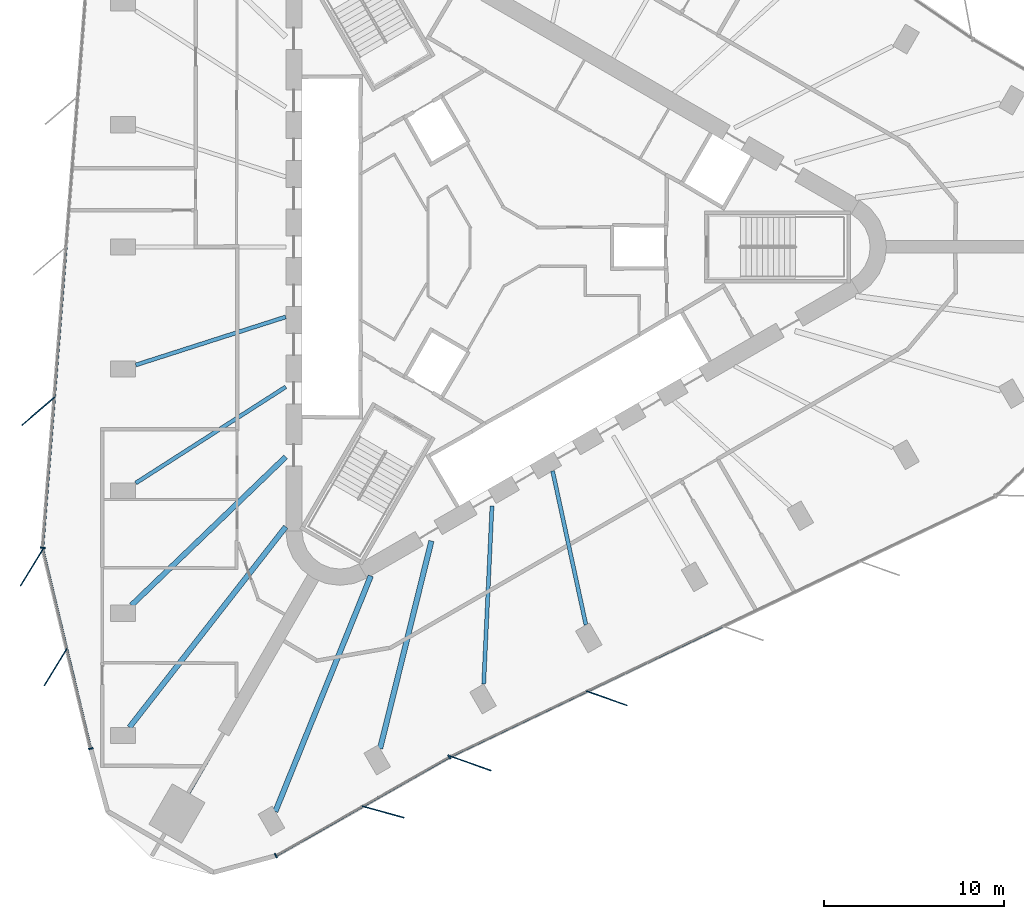
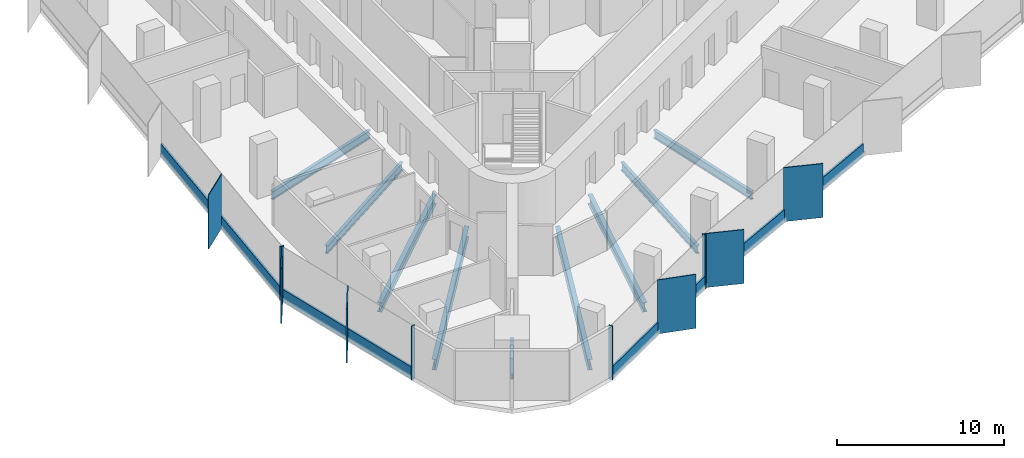
# One storey, part 2 of 13: 18 members, 9 beams, 4 elements without a shape of their own.
"""IFC4 building model written with IfcOpenShell, lengths in metres."""

from ifc_helpers import new_model, si_unit, direction, frame, origin, origin_2d, place, context, subcontext, project, spatial, rectangle, i_section, extrude, material, material_profile, profile_set, type_object, element, aggregate, save


model = new_model("IFC4")

# Units and contexts
model_context = context("Model", 3, precision=1e-05, world=origin(), true_north=direction((0.0, 1.0)))
body_context = subcontext(model_context, "Body", "Model", "MODEL_VIEW")
ifc_project = project(units=[si_unit("LENGTHUNIT", "METRE"), si_unit("AREAUNIT", "SQUARE_METRE"), si_unit("VOLUMEUNIT", "CUBIC_METRE"), si_unit("PLANEANGLEUNIT", "RADIAN"), si_unit("MASSUNIT", "GRAM", prefix="KILO")], contexts=[model_context])

# Site, building, storey
site_placement = place(None, origin())
site = spatial("IfcSite", under=ifc_project, at=site_placement, CompositionType="ELEMENT")
building_placement = place(site_placement, origin())
building = spatial("IfcBuilding", under=site, at=building_placement, Name="Tanit Gate Tower", CompositionType="ELEMENT")
storey_placement = place(building_placement, frame((0.0, 0.0, 273.199951171875)))
storey = spatial("IfcBuildingStorey", under=building, at=storey_placement, Name="L62", CompositionType="ELEMENT", Elevation=273.199951171875)

# Curtain wall, member
ifc_material_1 = material(Name="Aluminium bronze anodised and glass", Category="aluminium")
curtain_wall_type = type_object("IfcCurtainWallType", Name="Curtain wall typical mid", PredefinedType="NOTDEFINED", material=ifc_material_1)
curtain_wall_1_placement = place(storey_placement, origin())
curtain_wall_1 = element("IfcCurtainWall", 1, at=curtain_wall_1_placement, inside=storey, type_object=curtain_wall_type, Name="Curtain wall L62 W2", PredefinedType="NOTDEFINED")
ifc_material_2 = material(Name="Aluminium bronze anodised", Category="aluminium")
ifc_material_profile_1 = material_profile(ifc_material_2, rectangle(XDim=2.39990234375, YDim=0.055908203125, at=origin_2d()), Name="56x2400 bronze fin mullion")
ifc_profile_set_1 = profile_set([ifc_material_profile_1], Name="Aluminium bronze anodised")
member_type_1 = type_object("IfcMemberType", Name="FIN MULLION 56x2400 bronze", PredefinedType="MULLION", material=ifc_profile_set_1)
member_1_placement = place(storey_placement, frame((-25.82177734375, -9.10546875, -0.300048828125), z_axis=(0.0, 0.0, 1.0), x_axis=(0.75991198916, 0.650025975428, 0.0)))
member_1 = element("IfcMember", 2, at=member_1_placement, type_object=member_type_1, Name="Fin mullion L62 W2.4", PredefinedType="MULLION", context=body_context, shape_type="SweptSolid", body=[
    extrude(rectangle(XDim=2.39990234375, YDim=0.055908203125, at=origin_2d()), origin(), (0.0, 0.0, 1.0), 3.9501953125),
])

# Curtain wall, members
curtain_wall_2_placement = place(storey_placement, origin())
curtain_wall_2 = element("IfcCurtainWall", 3, at=curtain_wall_2_placement, inside=storey, type_object=curtain_wall_type, Name="Curtain wall L62 W3", PredefinedType="NOTDEFINED")
member_2_placement = place(storey_placement, frame((-26.185791015625, -17.764892578125, -0.300048828125), z_axis=(0.0, 0.0, 1.0), x_axis=(0.522413666557, 0.852692184199, 0.0)))
member_2 = element("IfcMember", 4, at=member_2_placement, type_object=member_type_1, Name="Fin mullion L62 W3.1", PredefinedType="MULLION", context=body_context, shape_type="SweptSolid", body=[
    extrude(rectangle(XDim=2.39990234375, YDim=0.055908203125, at=origin_2d()), origin(), (0.0, 0.0, 1.0), 3.9501953125),
])
member_3_placement = place(storey_placement, frame((-24.85791015625, -23.292724609375, -0.300048828125), z_axis=(0.0, 0.0, 1.0), x_axis=(0.522413666557, 0.852692184199, 0.0)))
member_3 = element("IfcMember", 5, at=member_3_placement, type_object=member_type_1, Name="Fin mullion L62 W3.2", PredefinedType="MULLION", context=body_context, shape_type="SweptSolid", body=[
    extrude(rectangle(XDim=2.39990234375, YDim=0.055908203125, at=origin_2d()), origin(), (0.0, 0.0, 1.0), 3.9501953125),
])

# Curtain wall, member
curtain_wall_3_placement = place(storey_placement, origin())
curtain_wall_3 = element("IfcCurtainWall", 6, at=curtain_wall_3_placement, inside=storey, type_object=curtain_wall_type, Name="Curtain wall L62 SE1", PredefinedType="NOTDEFINED")
member_4_placement = place(storey_placement, frame((-6.7041015625, -31.32470703125, -0.300048828125), z_axis=(0.0, 0.0, 1.0), x_axis=(-0.964256591689, 0.264970234904, 0.0)))
member_4 = element("IfcMember", 7, at=member_4_placement, type_object=member_type_1, Name="Fin mullion L62 SE1.2", PredefinedType="MULLION", context=body_context, shape_type="SweptSolid", body=[
    extrude(rectangle(XDim=2.39990234375, YDim=0.055908203125, at=origin_2d()), origin(), (0.0, 0.0, 1.0), 3.9501953125),
])

# Curtain wall, members
curtain_wall_4_placement = place(storey_placement, origin())
curtain_wall_4 = element("IfcCurtainWall", 8, at=curtain_wall_4_placement, inside=storey, type_object=curtain_wall_type, Name="Curtain wall L62 SE2", PredefinedType="NOTDEFINED")
member_5_placement = place(storey_placement, frame((-1.8505859375, -28.6328125, -0.300048828125), z_axis=(0.0, 0.0, 1.0), x_axis=(-0.94289500242, 0.333090099539, 0.0)))
member_5 = element("IfcMember", 9, at=member_5_placement, type_object=member_type_1, Name="Fin mullion L62 SE2.1", PredefinedType="MULLION", context=body_context, shape_type="SweptSolid", body=[
    extrude(rectangle(XDim=2.39990234375, YDim=0.055908203125, at=origin_2d()), origin(), (0.0, 0.0, 1.0), 3.9501953125),
])
member_6_placement = place(storey_placement, frame((5.698486328125, -25.025146484375, -0.300048828125), z_axis=(0.0, 0.0, 1.0), x_axis=(-0.94289500242, 0.333090099539, 0.0)))
member_6 = element("IfcMember", 10, at=member_6_placement, type_object=member_type_1, Name="Fin mullion L62 SE2.2", PredefinedType="MULLION", context=body_context, shape_type="SweptSolid", body=[
    extrude(rectangle(XDim=2.39990234375, YDim=0.055908203125, at=origin_2d()), origin(), (0.0, 0.0, 1.0), 3.9501953125),
])

# Member
ifc_material_3 = material(Name="Aluminium bronze anodised", Category="aluminium")
ifc_material_profile_2 = material_profile(ifc_material_3, rectangle(XDim=0.260009765625, YDim=0.080078125, at=origin_2d()), Name="80x260 bronze mullion")
ifc_profile_set_2 = profile_set([ifc_material_profile_2], Name="Aluminium bronze anodised")
member_type_2 = type_object("IfcMemberType", Name="Mullion 80x260 typical mid", PredefinedType="MULLION", material=ifc_profile_set_2)
member_7_placement = place(storey_placement, frame((-25.576171875, -16.680908203125, -0.300048828125), z_axis=(0.0, 0.0, 1.0), x_axis=(0.996976695812, -0.077701145467, 0.0)))
member_7 = element("IfcMember", 11, at=member_7_placement, type_object=member_type_2, Name="Mullion L62 W2.5", PredefinedType="MULLION", context=body_context, shape_type="SweptSolid", body=[
    extrude(rectangle(XDim=0.260009765625, YDim=0.080078125, at=origin_2d()), origin(), (0.0, 0.0, 1.0), 3.9501953125),
])

member_8_placement = place(storey_placement, frame((-22.91455078125, -27.8154296875, -0.300048828125), z_axis=(0.0, 0.0, 1.0), x_axis=(0.972346671919, 0.233542179505, 0.0)))
member_8 = element("IfcMember", 12, at=member_8_placement, type_object=member_type_2, Name="Mullion L62 W3.3", PredefinedType="MULLION", context=body_context, shape_type="SweptSolid", body=[
    extrude(rectangle(XDim=0.260009765625, YDim=0.080078125, at=origin_2d()), origin(), (0.0, 0.0, 1.0), 3.9501953125),
])

member_9_placement = place(storey_placement, frame((-12.648681640625, -33.747314453125, -0.300048828125), z_axis=(0.0, 0.0, 1.0), x_axis=(-0.494470124873, 0.8691946247, 0.0)))
member_9 = element("IfcMember", 13, at=member_9_placement, type_object=member_type_2, Name="Mullion L62 SE1.1", PredefinedType="MULLION", context=body_context, shape_type="SweptSolid", body=[
    extrude(rectangle(XDim=0.260009765625, YDim=0.080078125, at=origin_2d()), origin(), (0.0, 0.0, 1.0), 3.9501953125),
])

member_10_placement = place(storey_placement, frame((-3.032958984375, -28.27734375, -0.300048828125), z_axis=(0.0, 0.0, 1.0), x_axis=(-0.494470124873, 0.8691946247, 0.0)))
member_10 = element("IfcMember", 14, at=member_10_placement, type_object=member_type_2, Name="Mullion L62 SE1.3", PredefinedType="MULLION", context=body_context, shape_type="SweptSolid", body=[
    extrude(rectangle(XDim=0.260009765625, YDim=0.080078125, at=origin_2d()), origin(), (0.0, 0.0, 1.0), 3.9501953125),
])

# Beams
ifc_material_4 = material(Name="Steel S355", Category="steel")
ifc_material_profile_3 = material_profile(ifc_material_4, i_section(OverallWidth=0.300048828125, OverallDepth=0.68994140625, WebThickness=0.014404296875, FlangeThickness=0.027099609375, FilletRadius=0.027099609375, at=origin_2d()), Name="HEA 700")
ifc_profile_set_3 = profile_set([ifc_material_profile_3], Name="Steel S355")
beam_type_1 = type_object("IfcBeamType", Name="RADIAL GIRDER HEA 700 S355", PredefinedType="BEAM", material=ifc_profile_set_3)
beam_1_placement = place(storey_placement, frame((-20.653564453125, -19.86279296875, -0.64501953125), z_axis=(0.720779680612, 0.693164231634, 0.0), x_axis=(-0.693164231634, 0.720779680612, 0.0)))
element("IfcBeam", 15, at=beam_1_placement, inside=storey, type_object=beam_type_1, Name="RADIAL GIRDER", PredefinedType="BEAM", context=body_context, shape_type="SweptSolid", body=[
    extrude(i_section(OverallWidth=0.300048828125, OverallDepth=0.68994140625, WebThickness=0.014404296875, FlangeThickness=0.027099609375, FilletRadius=0.027099609375, at=origin_2d()), origin(), (0.0, 0.0, 1.0), 11.8642578125),
])
beam_2_placement = place(storey_placement, frame((-6.875, -27.818115234375, -0.64501953125), z_axis=(0.239929921854, 0.970790210395, 0.0), x_axis=(-0.970790210395, 0.239929921854, 0.0)))
element("IfcBeam", 16, at=beam_2_placement, inside=storey, type_object=beam_type_1, Name="RADIAL GIRDER", PredefinedType="BEAM", context=body_context, shape_type="SweptSolid", body=[
    extrude(i_section(OverallWidth=0.300048828125, OverallDepth=0.68994140625, WebThickness=0.014404296875, FlangeThickness=0.027099609375, FilletRadius=0.027099609375, at=origin_2d()), origin(), (0.0, 0.0, 1.0), 11.86474609375),
])
ifc_material_5 = material(Name="Steel S355", Category="steel")
ifc_material_profile_4 = material_profile(ifc_material_5, i_section(OverallWidth=0.300048828125, OverallDepth=0.7900390625, WebThickness=0.014892578125, FlangeThickness=0.028076171875, FilletRadius=0.030029296875, at=origin_2d()), Name="HEA 800")
ifc_profile_set_4 = profile_set([ifc_material_profile_4], Name="Steel S355")
beam_type_2 = type_object("IfcBeamType", Name="RADIAL GIRDER HEA 800 S355", PredefinedType="BEAM", material=ifc_profile_set_4)
beam_3_placement = place(storey_placement, frame((-20.7705078125, -26.6337890625, -0.695068359375), z_axis=(0.614960509334, 0.788557906536, 0.0), x_axis=(-0.788557906536, 0.614960509334, 0.0)))
element("IfcBeam", 17, at=beam_3_placement, inside=storey, type_object=beam_type_2, Name="RADIAL GIRDER", PredefinedType="BEAM", context=body_context, shape_type="SweptSolid", body=[
    extrude(i_section(OverallWidth=0.300048828125, OverallDepth=0.7900390625, WebThickness=0.014892578125, FlangeThickness=0.028076171875, FilletRadius=0.030029296875, at=origin_2d()), origin(), (0.0, 0.0, 1.0), 14.095947265625),
])
beam_4_placement = place(storey_placement, frame((-12.680419921875, -31.3046875, -0.695068359375), z_axis=(0.375439354179, 0.926846962197, 0.0), x_axis=(-0.926846962197, 0.375439354179, 0.0)))
element("IfcBeam", 18, at=beam_4_placement, inside=storey, type_object=beam_type_2, Name="RADIAL GIRDER", PredefinedType="BEAM", context=body_context, shape_type="SweptSolid", body=[
    extrude(i_section(OverallWidth=0.300048828125, OverallDepth=0.7900390625, WebThickness=0.014892578125, FlangeThickness=0.028076171875, FilletRadius=0.030029296875, at=origin_2d()), origin(), (0.0, 0.0, 1.0), 14.09619140625),
])
ifc_material_6 = material(Name="Steel S355", Category="steel")
ifc_material_profile_5 = material_profile(ifc_material_6, i_section(OverallWidth=0.179931640625, OverallDepth=0.39990234375, WebThickness=0.008544921875, FlangeThickness=0.013427734375, FilletRadius=0.02099609375, at=origin_2d()), Name="IPE 400")
ifc_profile_set_5 = profile_set([ifc_material_profile_5], Name="Steel S355")
beam_type_3 = type_object("IfcBeamType", Name="RADIAL GIRDER IPE 400 S355", PredefinedType="BEAM", material=ifc_profile_set_5)
beam_5_placement = place(storey_placement, frame((-17.485107421875, -30.28515625, -0.5), z_axis=(0.499980071345, 0.866036909293, 0.0), x_axis=(-0.866036909293, 0.499980071345, 0.0)))
element("IfcBeam", 19, at=beam_5_placement, inside=storey, type_object=beam_type_3, Name="RADIAL GIRDER", PredefinedType="BEAM", context=body_context, shape_type="SweptSolid", body=[
    extrude(i_section(OverallWidth=0.179931640625, OverallDepth=0.39990234375, WebThickness=0.008544921875, FlangeThickness=0.013427734375, FilletRadius=0.02099609375, at=origin_2d()), origin(), (0.0, 0.0, 1.0), 3.855712890625),
])
ifc_material_7 = material(Name="Steel S355", Category="steel")
ifc_material_profile_6 = material_profile(ifc_material_7, i_section(OverallWidth=0.219970703125, OverallDepth=0.60009765625, WebThickness=0.011962890625, FlangeThickness=0.01904296875, FilletRadius=0.02392578125, at=origin_2d()), Name="IPE 600")
ifc_profile_set_6 = profile_set([ifc_material_profile_6], Name="Steel S355")
beam_type_4 = type_object("IfcBeamType", Name="RADIAL GIRDER IPE 600 S355", PredefinedType="BEAM", material=ifc_profile_set_6)
beam_6_placement = place(storey_placement, frame((-20.42138671875, -6.546630859375, -0.599853515625), z_axis=(0.952264375412, 0.305274563828, 0.0), x_axis=(-0.305274563828, 0.952264375412, 0.0)))
element("IfcBeam", 20, at=beam_6_placement, inside=storey, type_object=beam_type_4, Name="RADIAL GIRDER", PredefinedType="BEAM", context=body_context, shape_type="SweptSolid", body=[
    extrude(i_section(OverallWidth=0.219970703125, OverallDepth=0.60009765625, WebThickness=0.011962890625, FlangeThickness=0.01904296875, FilletRadius=0.02392578125, at=origin_2d()), origin(), (0.0, 0.0, 1.0), 8.736328125),
])
beam_7_placement = place(storey_placement, frame((-20.42138671875, -13.09326171875, -0.599853515625), z_axis=(0.841829634381, 0.539743334075, 0.0), x_axis=(-0.539743334075, 0.841829634381, 0.0)))
element("IfcBeam", 21, at=beam_7_placement, inside=storey, type_object=beam_type_4, Name="RADIAL GIRDER", PredefinedType="BEAM", context=body_context, shape_type="SweptSolid", body=[
    extrude(i_section(OverallWidth=0.219970703125, OverallDepth=0.60009765625, WebThickness=0.011962890625, FlangeThickness=0.01904296875, FilletRadius=0.02392578125, at=origin_2d()), origin(), (0.0, 0.0, 1.0), 9.88232421875),
])
beam_8_placement = place(storey_placement, frame((-1.12841796875, -24.232177734375, -0.599853515625), z_axis=(0.046517005863, 0.998917498178, 0.0), x_axis=(-0.998917498178, 0.046517005863, 0.0)))
element("IfcBeam", 22, at=beam_8_placement, inside=storey, type_object=beam_type_4, Name="RADIAL GIRDER", PredefinedType="BEAM", context=body_context, shape_type="SweptSolid", body=[
    extrude(i_section(OverallWidth=0.219970703125, OverallDepth=0.60009765625, WebThickness=0.011962890625, FlangeThickness=0.01904296875, FilletRadius=0.02392578125, at=origin_2d()), origin(), (0.0, 0.0, 1.0), 9.8828125),
])
beam_9_placement = place(storey_placement, frame((4.541259765625, -20.958740234375, -0.599853515625), z_axis=(-0.211767137826, 0.977320151914, 0.0), x_axis=(-0.977320151914, -0.211767137826, 0.0)))
element("IfcBeam", 23, at=beam_9_placement, inside=storey, type_object=beam_type_4, Name="RADIAL GIRDER", PredefinedType="BEAM", context=body_context, shape_type="SweptSolid", body=[
    extrude(i_section(OverallWidth=0.219970703125, OverallDepth=0.60009765625, WebThickness=0.011962890625, FlangeThickness=0.01904296875, FilletRadius=0.02392578125, at=origin_2d()), origin(), (0.0, 0.0, 1.0), 8.736572265625),
])

# Member
ifc_material_8 = material(Name="Aluminium bronze anodised", Category="aluminium")
ifc_material_profile_7 = material_profile(ifc_material_8, rectangle(XDim=0.139892578125, YDim=0.89990234375, at=origin_2d()), Name="140x900 bronze transom")
ifc_profile_set_7 = profile_set([ifc_material_profile_7], Name="Aluminium bronze anodised")
member_type_3 = type_object("IfcMemberType", Name="Transom 140x900 typical mid", PredefinedType="USERDEFINED", material=ifc_profile_set_7)
member_11_placement = place(storey_placement, frame((-24.279052734375, -0.03759765625, 0.150146484375), z_axis=(-0.07769000697, -0.996977563848, 0.0), x_axis=(0.996977563848, -0.07769000697, 0.0)))
member_11 = element("IfcMember", 24, at=member_11_placement, type_object=member_type_3, Name="Transom L62 W2.3", ObjectType="TRANSOM", PredefinedType="USERDEFINED", context=body_context, shape_type="SweptSolid", body=[
    extrude(rectangle(XDim=0.139892578125, YDim=0.89990234375, at=origin_2d()), origin(), (0.0, 0.0, 1.0), 8.286865234375),
])

member_12_placement = place(storey_placement, frame((-24.92919921875, -8.379150390625, 0.150146484375), z_axis=(-0.07768772509, -0.996977741662, 0.0), x_axis=(0.996977741662, -0.07768772509, 0.0)))
member_12 = element("IfcMember", 25, at=member_12_placement, type_object=member_type_3, Name="Transom L62 W2.4", ObjectType="TRANSOM", PredefinedType="USERDEFINED", context=body_context, shape_type="SweptSolid", body=[
    extrude(rectangle(XDim=0.139892578125, YDim=0.89990234375, at=origin_2d()), origin(), (0.0, 0.0, 1.0), 8.287109375),
])

aggregate(curtain_wall_1, [member_1, member_7, member_11, member_12])

member_13_placement = place(storey_placement, frame((-25.560546875, -16.798583984375, 0.150146484375), z_axis=(0.233547568299, -0.972345377601, 0.0), x_axis=(0.972345377601, 0.233547568299, 0.0)))
member_13 = element("IfcMember", 26, at=member_13_placement, type_object=member_type_3, Name="Transom L62 W3.1", ObjectType="TRANSOM", PredefinedType="USERDEFINED", context=body_context, shape_type="SweptSolid", body=[
    extrude(rectangle(XDim=0.139892578125, YDim=0.89990234375, at=origin_2d()), origin(), (0.0, 0.0, 1.0), 5.605224609375),
])

member_14_placement = place(storey_placement, frame((-24.23291015625, -22.326416015625, 0.150146484375), z_axis=(0.233547568299, -0.972345377601, 0.0), x_axis=(0.972345377601, 0.233547568299, 0.0)))
member_14 = element("IfcMember", 27, at=member_14_placement, type_object=member_type_3, Name="Transom L62 W3.2", ObjectType="TRANSOM", PredefinedType="USERDEFINED", context=body_context, shape_type="SweptSolid", body=[
    extrude(rectangle(XDim=0.139892578125, YDim=0.89990234375, at=origin_2d()), origin(), (0.0, 0.0, 1.0), 5.605224609375),
])

aggregate(curtain_wall_2, [member_2, member_3, member_8, member_13, member_14])

member_15_placement = place(storey_placement, frame((-12.61376953125, -33.7275390625, 0.150146484375), z_axis=(0.869200671839, 0.494459494878, 0.0), x_axis=(-0.494459494878, 0.869200671839, 0.0)))
member_15 = element("IfcMember", 28, at=member_15_placement, type_object=member_type_3, Name="Transom L62 SE1.1", ObjectType="TRANSOM", PredefinedType="USERDEFINED", context=body_context, shape_type="SweptSolid", body=[
    extrude(rectangle(XDim=0.139892578125, YDim=0.89990234375, at=origin_2d()), origin(), (0.0, 0.0, 1.0), 5.450927734375),
])

member_16_placement = place(storey_placement, frame((-7.80615234375, -30.992431640625, 0.150146484375), z_axis=(0.869211621425, 0.494440246318, 0.0), x_axis=(-0.494440246318, 0.869211621425, 0.0)))
member_16 = element("IfcMember", 29, at=member_16_placement, type_object=member_type_3, Name="Transom L62 SE1.2", ObjectType="TRANSOM", PredefinedType="USERDEFINED", context=body_context, shape_type="SweptSolid", body=[
    extrude(rectangle(XDim=0.139892578125, YDim=0.89990234375, at=origin_2d()), origin(), (0.0, 0.0, 1.0), 5.451171875),
])

aggregate(curtain_wall_3, [member_9, member_4, member_10, member_15, member_16])

member_17_placement = place(storey_placement, frame((-2.926025390625, -28.222900390625, 0.150146484375), z_axis=(0.902257333807, 0.431197986534, 0.0), x_axis=(-0.431197986534, 0.902257333807, 0.0)))
member_17 = element("IfcMember", 30, at=member_17_placement, type_object=member_type_3, Name="Transom L62 SE2.1", ObjectType="TRANSOM", PredefinedType="USERDEFINED", context=body_context, shape_type="SweptSolid", body=[
    extrude(rectangle(XDim=0.139892578125, YDim=0.89990234375, at=origin_2d()), origin(), (0.0, 0.0, 1.0), 8.286865234375),
])

member_18_placement = place(storey_placement, frame((4.623046875, -24.615234375, 0.150146484375), z_axis=(0.902257333807, 0.431197986534, 0.0), x_axis=(-0.431197986534, 0.902257333807, 0.0)))
member_18 = element("IfcMember", 31, at=member_18_placement, type_object=member_type_3, Name="Transom L62 SE2.2", ObjectType="TRANSOM", PredefinedType="USERDEFINED", context=body_context, shape_type="SweptSolid", body=[
    extrude(rectangle(XDim=0.139892578125, YDim=0.89990234375, at=origin_2d()), origin(), (0.0, 0.0, 1.0), 8.286865234375),
])

aggregate(curtain_wall_4, [member_5, member_6, member_17, member_18])

save(model, "model.ifc")
